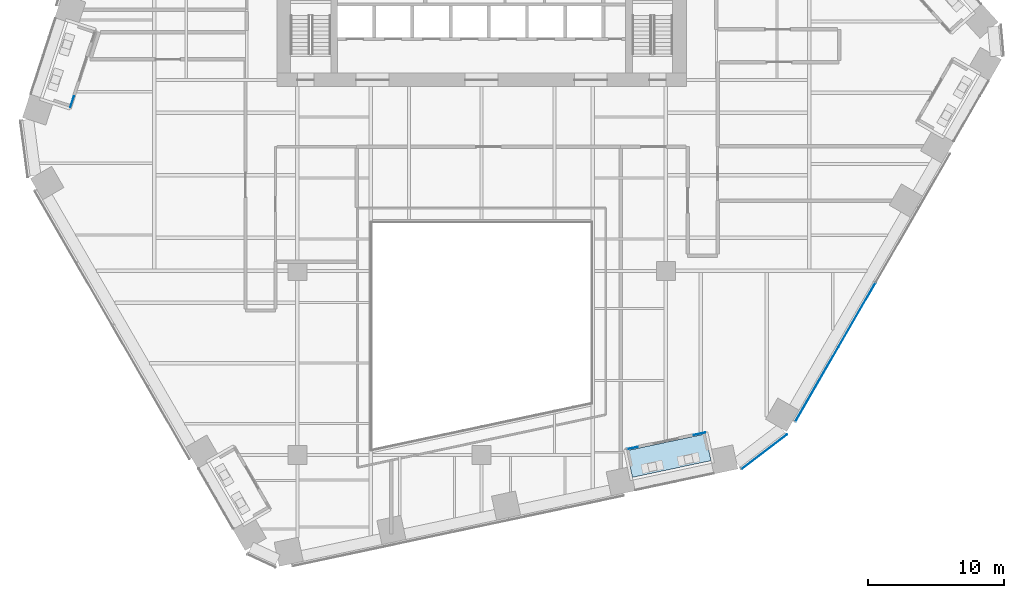
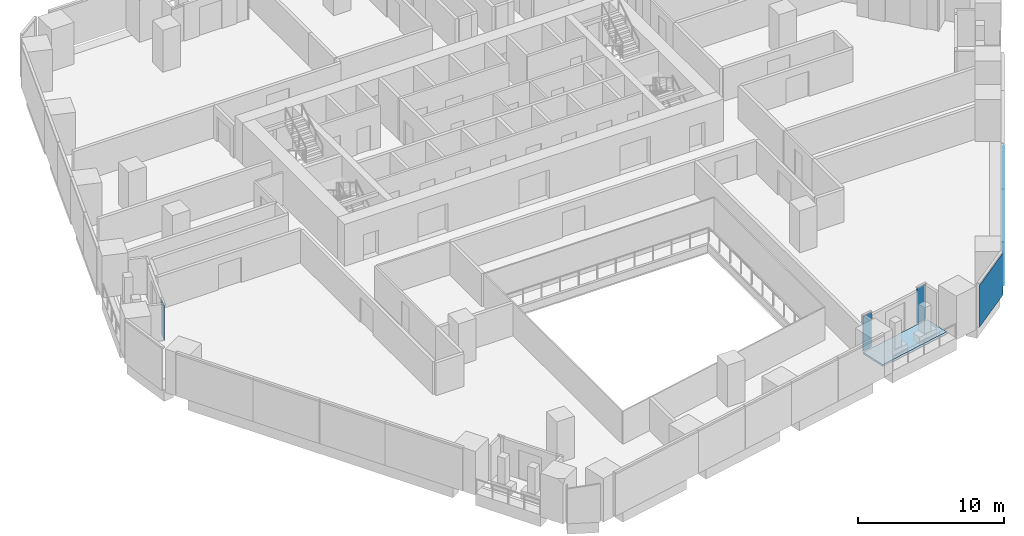
# One storey, part 18 of 31: 6 plates, 1 slab, 4 elements without a shape of their own.
"""IFC4 building model written with IfcOpenShell, lengths in metres."""

from ifc_helpers import new_model, si_unit, direction, frame, origin, origin_2d, place, context, subcontext, project, spatial, polyline, rectangle, outline, extrude, material, layer, layer_set, type_object, element, aggregate, save


model = new_model("IFC4")

# Units and contexts
model_context = context("Model", 3, precision=1e-05, world=origin(), true_north=direction((0.0, 1.0)))
body_context = subcontext(model_context, "Body", "Model", "MODEL_VIEW")
ifc_project = project(units=[si_unit("LENGTHUNIT", "METRE"), si_unit("AREAUNIT", "SQUARE_METRE"), si_unit("VOLUMEUNIT", "CUBIC_METRE"), si_unit("PLANEANGLEUNIT", "RADIAN"), si_unit("MASSUNIT", "GRAM", prefix="KILO")], contexts=[model_context])

# Site, building, storey
site_placement = place(None, origin())
site = spatial("IfcSite", under=ifc_project, at=site_placement, CompositionType="ELEMENT")
building_placement = place(site_placement, origin())
building = spatial("IfcBuilding", under=site, at=building_placement, Name="Isthmus Gate Tower", CompositionType="ELEMENT")
storey_placement = place(building_placement, frame((0.0, 0.0, 54.25)))
storey = spatial("IfcBuildingStorey", under=building, at=storey_placement, Name="L11", CompositionType="ELEMENT", Elevation=54.25)

# Curtain wall, plate
ifc_material_1 = material(Name="Aluminium, pale champagne anodised", Category="aluminium")
ifc_layer_1 = layer(ifc_material_1, 0.199951171875)
ifc_layer_set_1 = layer_set([ifc_layer_1], Name="CW-1 UNITISED CURTAIN WALL 200 DEEP")
curtain_wall_type_1 = type_object("IfcCurtainWallType", Name="CW-1 UNITISED CURTAIN WALL 200 DEEP", PredefinedType="NOTDEFINED", material=ifc_layer_set_1)
curtain_wall_1_placement = place(storey_placement, origin())
curtain_wall_1 = element("IfcCurtainWall", 1, at=curtain_wall_1_placement, inside=storey, type_object=curtain_wall_type_1, Name="CW-1 S-SE L11", PredefinedType="NOTDEFINED")
ifc_material_2 = material(Name="Laminated low-iron glass, pale blue tint", Category="glass")
ifc_layer_2 = layer(ifc_material_2, 0.0400390625)
ifc_layer_set_2 = layer_set([ifc_layer_2], Name="CW-1 CLEAR GLASS LITE 40")
plate_type_1 = type_object("IfcPlateType", Name="CW-1 CLEAR GLASS LITE 40", PredefinedType="CURTAIN_PANEL", material=ifc_layer_set_2)
plate_1_placement = place(storey_placement, frame((20.711669921875, -26.75732421875, 0.0), z_axis=(0.0, 0.0, 1.0), x_axis=(0.794188594387, 0.607671355706, 0.0)))
plate_1 = element("IfcPlate", 2, at=plate_1_placement, type_object=plate_type_1, Name="CW-1 glass lite", PredefinedType="CURTAIN_PANEL", context=body_context, shape_type="SweptSolid", body=[
    extrude(rectangle(XDim=4.181396484375, YDim=0.0400390625, at=origin_2d()), origin(), (0.0, 0.0, 1.0), 3.5),
])
aggregate(curtain_wall_1, [plate_1])

# Curtain wall, plates
curtain_wall_2_placement = place(storey_placement, origin())
curtain_wall_2 = element("IfcCurtainWall", 3, at=curtain_wall_2_placement, inside=storey, type_object=curtain_wall_type_1, Name="CW-1 SE L11", PredefinedType="NOTDEFINED")
plate_2_placement = place(storey_placement, frame((24.5673828125, -21.80810546875, 0.0), z_axis=(0.0, 0.0, 1.0), x_axis=(0.5, 0.866025403784, 0.0)))
plate_2 = element("IfcPlate", 4, at=plate_2_placement, type_object=plate_type_1, Name="CW-1 glass lite", PredefinedType="CURTAIN_PANEL", context=body_context, shape_type="SweptSolid", body=[
    extrude(rectangle(XDim=6.278564453125, YDim=0.0400390625, at=origin_2d()), origin(), (0.0, 0.0, 1.0), 3.5),
])
plate_3_placement = place(storey_placement, frame((27.49658203125, -16.734375, 0.0), z_axis=(0.0, 0.0, 1.0), x_axis=(0.5, 0.866025403784, 0.0)))
plate_3 = element("IfcPlate", 5, at=plate_3_placement, type_object=plate_type_1, Name="CW-1 glass lite", PredefinedType="CURTAIN_PANEL", context=body_context, shape_type="SweptSolid", body=[
    extrude(rectangle(XDim=5.4384765625, YDim=0.0400390625, at=origin_2d()), origin(), (0.0, 0.0, 1.0), 3.5),
])
aggregate(curtain_wall_2, [plate_2, plate_3])

# Curtain wall, plate
ifc_material_3 = material(Name="Aluminium, pale champagne anodised", Category="aluminium")
ifc_layer_3 = layer(ifc_material_3, 0.14990234375)
ifc_layer_set_3 = layer_set([ifc_layer_3], Name="CW-6 LOGGIA BACK WALL GLAZING 150 DEEP")
curtain_wall_type_2 = type_object("IfcCurtainWallType", Name="CW-6 LOGGIA BACK WALL GLAZING 150 DEEP", PredefinedType="NOTDEFINED", material=ifc_layer_set_3)
curtain_wall_3_placement = place(storey_placement, origin())
curtain_wall_3 = element("IfcCurtainWall", 6, at=curtain_wall_3_placement, inside=storey, type_object=curtain_wall_type_2, Name="CW-6 NW L11", PredefinedType="NOTDEFINED")
ifc_material_4 = material(Name="Laminated low-iron glass, clear", Category="glass")
ifc_layer_4 = layer(ifc_material_4, 0.031982421875)
ifc_layer_set_4 = layer_set([ifc_layer_4], Name="CW-6 CLEAR GLASS LITE 32")
plate_type_2 = type_object("IfcPlateType", Name="CW-6 CLEAR GLASS LITE 32", PredefinedType="CURTAIN_PANEL", material=ifc_layer_set_4)
plate_4_placement = place(storey_placement, frame((-30.010986328125, -1.105224609375, 0.0), z_axis=(0.0, 0.0, 1.0), x_axis=(-0.309016994375, -0.951056516295, 0.0)))
plate_4 = element("IfcPlate", 7, at=plate_4_placement, type_object=plate_type_2, Name="CW-6 glass lite", PredefinedType="CURTAIN_PANEL", context=body_context, shape_type="SweptSolid", body=[
    extrude(rectangle(XDim=0.8447265625, YDim=0.031982421875, at=origin_2d()), origin(), (0.0, 0.0, 1.0), 2.929931640625),
])
aggregate(curtain_wall_3, [plate_4])

# Curtain wall, plates
curtain_wall_4_placement = place(storey_placement, origin())
curtain_wall_4 = element("IfcCurtainWall", 8, at=curtain_wall_4_placement, inside=storey, type_object=curtain_wall_type_2, Name="CW-6 S L11", PredefinedType="NOTDEFINED")
plate_5_placement = place(storey_placement, frame((11.0576171875, -26.48046875, 0.0), z_axis=(0.0, 0.0, 1.0), x_axis=(0.978147600734, 0.207911690818, 0.0)))
plate_5 = element("IfcPlate", 9, at=plate_5_placement, type_object=plate_type_2, Name="CW-6 glass lite", PredefinedType="CURTAIN_PANEL", context=body_context, shape_type="SweptSolid", body=[
    extrude(rectangle(XDim=0.78466796875, YDim=0.031982421875, at=origin_2d()), origin(), (0.0, 0.0, 1.0), 2.929931640625),
])
plate_6_placement = place(storey_placement, frame((15.962646484375, -25.437744140625, 0.0), z_axis=(0.0, 0.0, 1.0), x_axis=(0.978147600734, 0.207911690818, 0.0)))
plate_6 = element("IfcPlate", 10, at=plate_6_placement, type_object=plate_type_2, Name="CW-6 glass lite", PredefinedType="CURTAIN_PANEL", context=body_context, shape_type="SweptSolid", body=[
    extrude(rectangle(XDim=0.8447265625, YDim=0.031982421875, at=origin_2d()), origin(), (0.0, 0.0, 1.0), 2.929931640625),
])
aggregate(curtain_wall_4, [plate_5, plate_6])

# Slab
ifc_material_5 = material(Name="Concrete f'c 50 MPa", Category="concrete")
ifc_layer_5 = layer(ifc_material_5, 0.14990234375)
ifc_layer_set_5 = layer_set([ifc_layer_5], Name="LOGGIA FLOOR SLAB 150")
slab_type = type_object("IfcSlabType", Name="LOGGIA FLOOR SLAB 150", PredefinedType="FLOOR", material=ifc_layer_set_5)
slab_placement = place(storey_placement, frame((0.0, 0.0, -0.14990234375)))
element("IfcSlab", 11, at=slab_placement, inside=storey, type_object=slab_type, Name="LOGGIA FLOOR", PredefinedType="FLOOR", context=body_context, shape_type="SweptSolid", body=[
    extrude(outline(polyline([(11.0517578125, -28.62841796875), (16.8125, -27.404052734375), (16.396728515625, -25.44775390625), (10.635986328125, -26.672119140625), (11.0517578125, -28.62841796875)])), origin(), (0.0, 0.0, 1.0), 0.14990234375),
])

save(model, "model.ifc")
